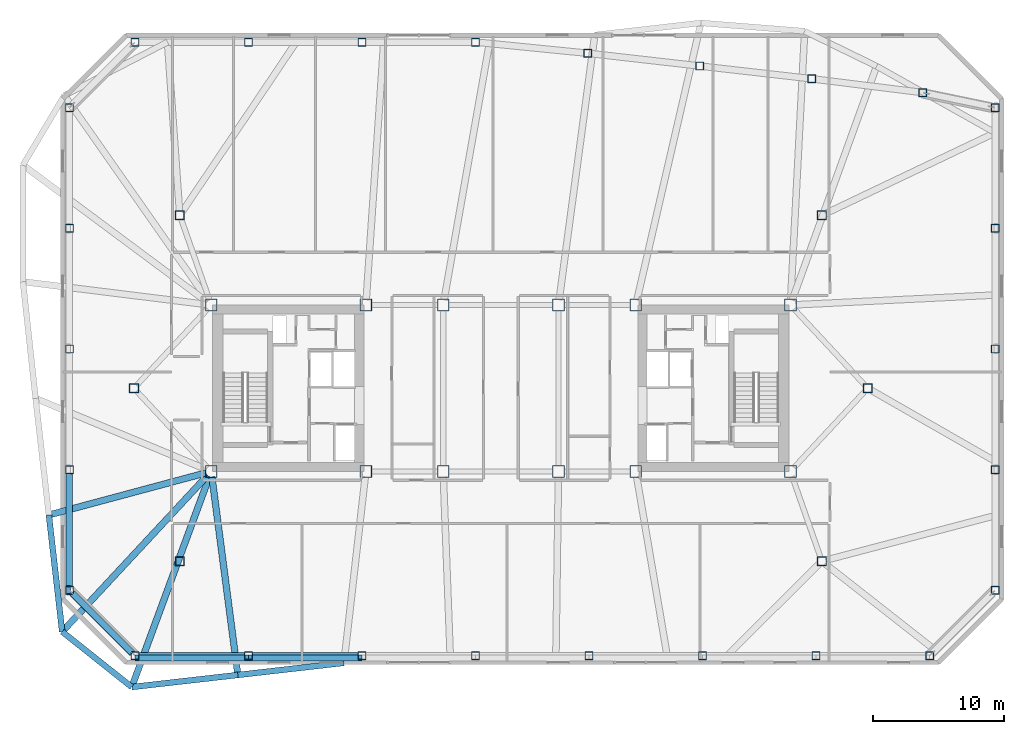
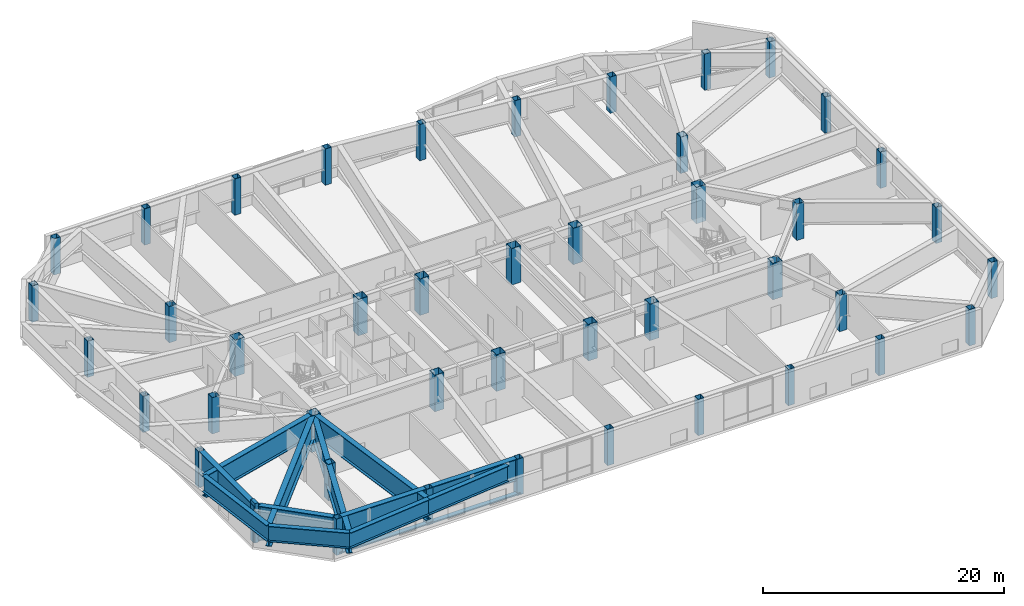
# One storey, part 1 of 19: 44 columns, 12 beams, 4 members.
"""IFC4 building model written with IfcOpenShell, lengths in metres."""

from ifc_helpers import new_model, si_unit, direction, frame, origin, origin_2d, place, context, subcontext, project, spatial, rectangle, hollow_rectangle, hollow_circle, i_section, extrude, material, material_profile, profile_set, type_object, element, save


model = new_model("IFC4")

# Units and contexts
model_context = context("Model", 3, precision=1e-05, world=origin(), true_north=direction((0.0, 1.0)))
body_context = subcontext(model_context, "Body", "Model", "MODEL_VIEW")
ifc_project = project(units=[si_unit("LENGTHUNIT", "METRE"), si_unit("AREAUNIT", "SQUARE_METRE"), si_unit("VOLUMEUNIT", "CUBIC_METRE"), si_unit("PLANEANGLEUNIT", "RADIAN"), si_unit("MASSUNIT", "GRAM", prefix="KILO")], contexts=[model_context])

# Site, building, storey
site_placement = place(None, origin())
site = spatial("IfcSite", under=ifc_project, at=site_placement, CompositionType="ELEMENT")
building_placement = place(site_placement, origin())
building = spatial("IfcBuilding", under=site, at=building_placement, Name="Tavrogorsk Clinical Tower", CompositionType="ELEMENT")
storey_placement = place(building_placement, frame((0.0, 0.0, 204.199951171875)))
storey = spatial("IfcBuildingStorey", under=building, at=storey_placement, Name="L47", CompositionType="ELEMENT", Elevation=204.199951171875)

# Columns
ifc_material_1 = material(Name="Structural steel S440", Category="steel")
ifc_material_profile_1 = material_profile(ifc_material_1, hollow_rectangle(XDim=0.699951171875, YDim=0.699951171875, WallThickness=0.031982421875, at=origin_2d()), Name="BOX-700x700x32")
ifc_profile_set_1 = profile_set([ifc_material_profile_1], Name="Structural steel S440")
column_type_1 = type_object("IfcColumnType", Name="MegaCol_BOX700", PredefinedType="COLUMN", material=ifc_profile_set_1)
for number, where, z_axis, x_axis, name in (
    (1, (-24.5, -13.199951171875, 0.0), (0.0, 0.0, 1.0), (1.0, 0.0, 0.0), "L47 Spine Pilotis Column MC-P1"),
    (2, (24.5, -13.199951171875, 0.0), (0.0, 0.0, 1.0), (1.0, 0.0, 0.0), "L47 Spine Pilotis Column MC-P2"),
    (3, (-24.5, 13.199951171875, 0.0), (0.0, 0.0, 1.0), (1.0, 0.0, 0.0), "L47 Spine Pilotis Column MC-P3"),
    (4, (24.5, 13.199951171875, 0.0), (0.0, 0.0, 1.0), (1.0, 0.0, 0.0), "L47 Spine Pilotis Column MC-P4"),
    (5, (-28.0, 0.0, 0.0), (0.0, 0.0, 1.0), (1.0, 0.0, 0.0), "L47 Spine Pilotis Column MC-P5"),
    (6, (28.0, 0.0, 0.0), (0.0, 0.0, 1.0), (1.0, 0.0, 0.0), "L47 Spine Pilotis Column MC-P6"),
):
    element("IfcColumn", number, at=place(storey_placement, frame(where, z_axis=z_axis, x_axis=x_axis)), inside=storey, type_object=column_type_1, Name=name, PredefinedType="COLUMN", context=body_context, shape_type="SweptSolid", body=[
        extrude(hollow_rectangle(XDim=0.699951171875, YDim=0.699951171875, WallThickness=0.031982421875, at=origin_2d()), origin(), (0.0, 0.0, 1.0), 3.679931640625),
    ])
ifc_material_2 = material(Name="Structural steel S440", Category="steel")
ifc_material_profile_2 = material_profile(ifc_material_2, hollow_rectangle(XDim=0.89990234375, YDim=0.89990234375, WallThickness=0.0400390625, at=origin_2d()), Name="BOX-900x900x40")
ifc_profile_set_2 = profile_set([ifc_material_profile_2], Name="Structural steel S440")
column_type_2 = type_object("IfcColumnType", Name="MegaCol_BOX900", PredefinedType="COLUMN", material=ifc_profile_set_2)
for number, where, z_axis, x_axis, name in (
    (7, (-22.10009765625, -6.35009765625, 0.0), (0.0, 0.0, 1.0), (1.0, 0.0, 0.0), "L47 Mega Column MC-W1"),
    (8, (-22.10009765625, 6.35009765625, 0.0), (0.0, 0.0, 1.0), (1.0, 0.0, 0.0), "L47 Mega Column MC-W2"),
    (9, (-10.300048828125, -6.35009765625, 0.0), (0.0, 0.0, 1.0), (1.0, 0.0, 0.0), "L47 Mega Column MC-W3"),
    (10, (-10.300048828125, 6.35009765625, 0.0), (0.0, 0.0, 1.0), (1.0, 0.0, 0.0), "L47 Mega Column MC-W4"),
    (11, (10.300048828125, -6.35009765625, 0.0), (0.0, 0.0, 1.0), (1.0, 0.0, 0.0), "L47 Mega Column MC-E1"),
    (12, (10.300048828125, 6.35009765625, 0.0), (0.0, 0.0, 1.0), (1.0, 0.0, 0.0), "L47 Mega Column MC-E2"),
    (13, (22.10009765625, -6.35009765625, 0.0), (0.0, 0.0, 1.0), (1.0, 0.0, 0.0), "L47 Mega Column MC-E3"),
    (14, (22.10009765625, 6.35009765625, 0.0), (0.0, 0.0, 1.0), (1.0, 0.0, 0.0), "L47 Mega Column MC-E4"),
    (15, (-4.39990234375, -6.35009765625, 0.0), (0.0, 0.0, 1.0), (1.0, 0.0, 0.0), "L47 Mega Column MC-C1"),
    (16, (4.39990234375, -6.35009765625, 0.0), (0.0, 0.0, 1.0), (1.0, 0.0, 0.0), "L47 Mega Column MC-C2"),
    (17, (-4.39990234375, 6.35009765625, 0.0), (0.0, 0.0, 1.0), (1.0, 0.0, 0.0), "L47 Mega Column MC-C3"),
    (18, (4.39990234375, 6.35009765625, 0.0), (0.0, 0.0, 1.0), (1.0, 0.0, 0.0), "L47 Mega Column MC-C4"),
):
    element("IfcColumn", number, at=place(storey_placement, frame(where, z_axis=z_axis, x_axis=x_axis)), inside=storey, type_object=column_type_2, Name=name, PredefinedType="COLUMN", context=body_context, shape_type="SweptSolid", body=[
        extrude(hollow_rectangle(XDim=0.89990234375, YDim=0.89990234375, WallThickness=0.0400390625, at=origin_2d()), origin(), (0.0, 0.0, 1.0), 3.679931640625),
    ])
ifc_material_3 = material(Name="Structural steel S440", Category="steel")
ifc_material_profile_3 = material_profile(ifc_material_3, hollow_rectangle(XDim=0.60009765625, YDim=0.60009765625, WallThickness=0.028076171875, at=origin_2d()), Name="BOX-600x600x28")
ifc_profile_set_3 = profile_set([ifc_material_profile_3], Name="Structural steel S440")
column_type_3 = type_object("IfcColumnType", Name="PerimCol_B3_BOX600", PredefinedType="COLUMN", material=ifc_profile_set_3)
for number, where, z_axis, x_axis, name in (
    (19, (-27.919921875, -20.419921875, 0.0), (0.0, 0.0, 1.0), (1.0, 0.0, 0.0), "L47 Perimeter Column S1"),
    (20, (-19.257080078125, -20.419921875, 0.0), (0.0, 0.0, 1.0), (1.0, 0.0, 0.0), "L47 Perimeter Column S2"),
    (21, (-10.59423828125, -20.419921875, 0.0), (0.0, 0.0, 1.0), (1.0, 0.0, 0.0), "L47 Perimeter Column S3"),
    (22, (-1.931396484375, -20.419921875, 0.0), (0.0, 0.0, 1.0), (1.0, 0.0, 0.0), "L47 Perimeter Column S4"),
    (23, (6.7314453125, -20.419921875, 0.0), (0.0, 0.0, 1.0), (1.0, 0.0, 0.0), "L47 Perimeter Column S5"),
    (24, (15.394287109375, -20.419921875, 0.0), (0.0, 0.0, 1.0), (1.0, 0.0, 0.0), "L47 Perimeter Column S6"),
    (25, (24.05712890625, -20.419921875, 0.0), (0.0, 0.0, 1.0), (1.0, 0.0, 0.0), "L47 Perimeter Column S7"),
    (26, (32.719970703125, -20.419921875, 0.0), (0.0, 0.0, 1.0), (1.0, 0.0, 0.0), "L47 Perimeter Column S8"),
    (27, (32.19140625, 22.56591796875, 0.0), (0.0, 0.0, 1.0), (1.0, 0.0, 0.0), "L47 Perimeter Column N1"),
    (28, (23.73779296875, 23.617919921875, 0.0), (0.0, 0.0, 1.0), (1.0, 0.0, 0.0), "L47 Perimeter Column N2"),
    (29, (15.18603515625, 24.59228515625, 0.0), (0.0, 0.0, 1.0), (1.0, 0.0, 0.0), "L47 Perimeter Column N3"),
    (30, (6.63427734375, 25.566650390625, 0.0), (0.0, 0.0, 1.0), (1.0, 0.0, 0.0), "L47 Perimeter Column N4"),
    (31, (-1.931396484375, 26.419921875, 0.0), (0.0, 0.0, 1.0), (1.0, 0.0, 0.0), "L47 Perimeter Column N5"),
    (32, (-10.59423828125, 26.419921875, 0.0), (0.0, 0.0, 1.0), (1.0, 0.0, 0.0), "L47 Perimeter Column N6"),
    (33, (-19.257080078125, 26.419921875, 0.0), (0.0, 0.0, 1.0), (1.0, 0.0, 0.0), "L47 Perimeter Column N7"),
    (34, (-27.919921875, 26.419921875, 0.0), (0.0, 0.0, 1.0), (1.0, 0.0, 0.0), "L47 Perimeter Column N8"),
    (35, (37.719970703125, -15.419921875, 0.0), (0.0, 0.0, 1.0), (1.0, 0.0, 0.0), "L47 Perimeter Column E1"),
    (36, (37.719970703125, -6.2099609375, 0.0), (0.0, 0.0, 1.0), (1.0, 0.0, 0.0), "L47 Perimeter Column E2"),
    (37, (37.719970703125, 3.0, 0.0), (0.0, 0.0, 1.0), (1.0, 0.0, 0.0), "L47 Perimeter Column E3"),
    (38, (37.719970703125, 12.2099609375, 0.0), (0.0, 0.0, 1.0), (1.0, 0.0, 0.0), "L47 Perimeter Column E4"),
    (39, (37.719970703125, 21.419921875, 0.0), (0.0, 0.0, 1.0), (1.0, 0.0, 0.0), "L47 Perimeter Column E5"),
    (40, (-32.919921875, 21.419921875, 0.0), (0.0, 0.0, 1.0), (1.0, 0.0, 0.0), "L47 Perimeter Column W1"),
    (41, (-32.919921875, 12.2099609375, 0.0), (0.0, 0.0, 1.0), (1.0, 0.0, 0.0), "L47 Perimeter Column W2"),
    (42, (-32.919921875, 3.0, 0.0), (0.0, 0.0, 1.0), (1.0, 0.0, 0.0), "L47 Perimeter Column W3"),
    (43, (-32.919921875, -6.2099609375, 0.0), (0.0, 0.0, 1.0), (1.0, 0.0, 0.0), "L47 Perimeter Column W4"),
    (44, (-32.919921875, -15.419921875, 0.0), (0.0, 0.0, 1.0), (1.0, 0.0, 0.0), "L47 Perimeter Column W5"),
):
    element("IfcColumn", number, at=place(storey_placement, frame(where, z_axis=z_axis, x_axis=x_axis)), inside=storey, type_object=column_type_3, Name=name, PredefinedType="COLUMN", context=body_context, shape_type="SweptSolid", body=[
        extrude(hollow_rectangle(XDim=0.60009765625, YDim=0.60009765625, WallThickness=0.028076171875, at=origin_2d()), origin(), (0.0, 0.0, 1.0), 3.679931640625),
    ])

# Members
ifc_material_4 = material(Name="Anodised aluminium alloy AW-6063", Category="aluminium")
ifc_material_profile_4 = material_profile(ifc_material_4, rectangle(XDim=0.449951171875, YDim=0.1201171875, at=origin_2d()), Name="ALU-SUNSHADE-450x120")
ifc_profile_set_4 = profile_set([ifc_material_profile_4], Name="Anodised aluminium alloy AW-6063")
member_type_1 = type_object("IfcMemberType", Name="ChicagoSunshade_450x120", PredefinedType="USERDEFINED", material=ifc_profile_set_4)
for number, where, z_axis, x_axis, name in (
    (45, (-27.919921875, -20.60009765625, 0.179931640625), (1.0, 0.0, 0.0), (0.0, 1.0, 0.0), "L47 South Aluminium Sunshade S1"),
    (46, (-19.257080078125, -20.60009765625, 0.179931640625), (1.0, 0.0, 0.0), (0.0, 1.0, 0.0), "L47 South Aluminium Sunshade S2"),
):
    element("IfcMember", number, at=place(storey_placement, frame(where, z_axis=z_axis, x_axis=x_axis)), inside=storey, type_object=member_type_1, Name=name, ObjectType="SUNSHADE", PredefinedType="USERDEFINED", context=body_context, shape_type="SweptSolid", body=[
        extrude(rectangle(XDim=0.449951171875, YDim=0.1201171875, at=origin_2d()), origin(), (0.0, 0.0, 1.0), 8.662841796875),
    ])
ifc_material_5 = material(Name="Structural steel S440", Category="steel")
ifc_material_profile_5 = material_profile(ifc_material_5, hollow_circle(Radius=0.25390625, WallThickness=0.02001953125, at=origin_2d()), Name="CHS-508x20")
ifc_profile_set_5 = profile_set([ifc_material_profile_5], Name="Structural steel S440")
member_type_2 = type_object("IfcMemberType", Name="ExoBrace_CHS508", PredefinedType="BRACE", material=ifc_profile_set_5)
member_1_placement = place(storey_placement, frame((-32.704833984375, -15.635009765625, 0.3486328125), z_axis=(0.698248174064, -0.698248174064, 0.157794089982), x_axis=(0.707106781187, 0.707106781187, 0.0)))
element("IfcMember", 47, at=member_1_placement, inside=storey, type_object=member_type_2, Name="L47 Corner Exoskeleton Brace W5-S1", PredefinedType="BRACE", context=body_context, shape_type="SweptSolid", body=[
    extrude(hollow_circle(Radius=0.25390625, WallThickness=0.02001953125, at=origin_2d()), origin(), (0.0, 0.0, 1.0), 6.544677734375),
])
ifc_material_6 = material(Name="Precast concrete B45 with limestone cladding", Category="masonry")
ifc_material_profile_6 = material_profile(ifc_material_6, rectangle(XDim=0.320068359375, YDim=0.719970703125, at=origin_2d()), Name="LIMESTONE-FIN-320x720")
ifc_profile_set_6 = profile_set([ifc_material_profile_6], Name="Precast concrete B45 with limestone cladding")
member_type_3 = type_object("IfcMemberType", Name="LimestonePleatFin_320x720", PredefinedType="USERDEFINED", material=ifc_profile_set_6)
member_2_placement = place(storey_placement, frame((-33.0, -15.419921875, 0.0), z_axis=(0.0, 0.0, 1.0), x_axis=(1.0, 0.0, 0.0)))
element("IfcMember", 48, at=member_2_placement, inside=storey, type_object=member_type_3, Name="L47 W Pleated Stone Fin 4", ObjectType="FIN", PredefinedType="USERDEFINED", context=body_context, shape_type="SweptSolid", body=[
    extrude(rectangle(XDim=0.320068359375, YDim=0.719970703125, at=origin_2d()), origin(), (0.0, 0.0, 1.0), 4.0),
])

# Beams
ifc_material_7 = material(Name="Structural steel S440", Category="steel")
ifc_material_profile_7 = material_profile(ifc_material_7, i_section(OverallWidth=0.449951171875, OverallDepth=1.60009765625, WebThickness=0.031982421875, FlangeThickness=0.050048828125, at=origin_2d()), Name="DK-1600x450x32x50")
ifc_profile_set_7 = profile_set([ifc_material_profile_7], Name="Structural steel S440")
beam_type_1 = type_object("IfcBeamType", Name="TransferGirder_DK1600", PredefinedType="USERDEFINED", material=ifc_profile_set_7)
for number, where, z_axis, x_axis, name in (
    (49, (-28.164794921875, -22.802490234375, 2.880126953125), (0.9935729766, 0.113193375116, 0.0), (-0.113193375116, 0.9935729766, 0.0), "L48 Transfer Edge Girder S1-S2"),
    (50, (-20.068603515625, -21.880126953125, 2.880126953125), (0.99356960656, 0.11322295227, 0.0), (-0.11322295227, 0.99356960656, 0.0), "L48 Transfer Edge Girder S2-S3"),
):
    element("IfcBeam", number, at=place(storey_placement, frame(where, z_axis=z_axis, x_axis=x_axis)), inside=storey, type_object=beam_type_1, Name=name, ObjectType="GIRDER", PredefinedType="USERDEFINED", context=body_context, shape_type="SweptSolid", body=[
        extrude(i_section(OverallWidth=0.449951171875, OverallDepth=1.60009765625, WebThickness=0.031982421875, FlangeThickness=0.050048828125, at=origin_2d()), origin(), (0.0, 0.0, 1.0), 8.148681640625),
    ])
beam_1_placement = place(storey_placement, frame((-34.491455078125, -9.67431640625, 2.880126953125), z_axis=(0.113188472599, -0.99357353511, 0.0), x_axis=(0.99357353511, 0.113188472599, 0.0)))
element("IfcBeam", 51, at=beam_1_placement, inside=storey, type_object=beam_type_1, Name="L48 Transfer Edge Girder W4-W5", ObjectType="GIRDER", PredefinedType="USERDEFINED", context=body_context, shape_type="SweptSolid", body=[
    extrude(i_section(OverallWidth=0.449951171875, OverallDepth=1.60009765625, WebThickness=0.031982421875, FlangeThickness=0.050048828125, at=origin_2d()), origin(), (0.0, 0.0, 1.0), 8.9599609375),
])
beam_2_placement = place(storey_placement, frame((-33.477294921875, -18.57666015625, 2.880126953125), z_axis=(0.782602647064, -0.622521563328, 0.0), x_axis=(0.622521563328, 0.782602647064, 0.0)))
element("IfcBeam", 52, at=beam_2_placement, inside=storey, type_object=beam_type_1, Name="L48 Transfer Edge Girder W5-S1", ObjectType="GIRDER", PredefinedType="USERDEFINED", context=body_context, shape_type="SweptSolid", body=[
    extrude(i_section(OverallWidth=0.449951171875, OverallDepth=1.60009765625, WebThickness=0.031982421875, FlangeThickness=0.050048828125, at=origin_2d()), origin(), (0.0, 0.0, 1.0), 6.788330078125),
])
ifc_material_8 = material(Name="Structural steel S440", Category="steel")
ifc_material_profile_8 = material_profile(ifc_material_8, i_section(OverallWidth=0.5, OverallDepth=2.199951171875, WebThickness=0.035888671875, FlangeThickness=0.054931640625, at=origin_2d()), Name="DK-2200x500x36x55")
ifc_profile_set_8 = profile_set([ifc_material_profile_8], Name="Structural steel S440")
beam_type_2 = type_object("IfcBeamType", Name="TransferGirder_DK2200", PredefinedType="USERDEFINED", material=ifc_profile_set_8)
for number, where, z_axis, x_axis, name in (
    (53, (-27.612060546875, -20.419921875, 2.580078125), (1.0, 0.0, 0.0), (0.0, 1.0, 0.0), "L47 Perimeter Spandrel S1-S2"),
    (54, (-18.94921875, -20.419921875, 2.580078125), (1.0, 0.0, 0.0), (0.0, 1.0, 0.0), "L47 Perimeter Spandrel S2-S3"),
):
    element("IfcBeam", number, at=place(storey_placement, frame(where, z_axis=z_axis, x_axis=x_axis)), inside=storey, type_object=beam_type_2, Name=name, ObjectType="GIRDER", PredefinedType="USERDEFINED", context=body_context, shape_type="SweptSolid", body=[
        extrude(i_section(OverallWidth=0.5, OverallDepth=2.199951171875, WebThickness=0.035888671875, FlangeThickness=0.054931640625, at=origin_2d()), origin(), (0.0, 0.0, 1.0), 8.046875),
    ])
beam_3_placement = place(storey_placement, frame((-32.919921875, -6.51806640625, 2.580078125), z_axis=(0.0, -1.0, 0.0), x_axis=(1.0, 0.0, 0.0)))
element("IfcBeam", 55, at=beam_3_placement, inside=storey, type_object=beam_type_2, Name="L47 Perimeter Spandrel W4-W5", ObjectType="GIRDER", PredefinedType="USERDEFINED", context=body_context, shape_type="SweptSolid", body=[
    extrude(i_section(OverallWidth=0.5, OverallDepth=2.199951171875, WebThickness=0.035888671875, FlangeThickness=0.054931640625, at=origin_2d()), origin(), (0.0, 0.0, 1.0), 8.593994140625),
])
beam_4_placement = place(storey_placement, frame((-32.7021484375, -15.6376953125, 2.580078125), z_axis=(0.707106781187, -0.707106781187, 0.0), x_axis=(0.707106781187, 0.707106781187, 0.0)))
element("IfcBeam", 56, at=beam_4_placement, inside=storey, type_object=beam_type_2, Name="L47 Perimeter Spandrel W5-S1", ObjectType="GIRDER", PredefinedType="USERDEFINED", context=body_context, shape_type="SweptSolid", body=[
    extrude(i_section(OverallWidth=0.5, OverallDepth=2.199951171875, WebThickness=0.035888671875, FlangeThickness=0.054931640625, at=origin_2d()), origin(), (0.0, 0.0, 1.0), 6.455078125),
])
beam_5_placement = place(storey_placement, frame((-22.24169921875, -6.734619140625, 2.580078125), z_axis=(-0.345877787516, -0.938279572464, 0.0), x_axis=(0.938279572464, -0.345877787516, 0.0)))
element("IfcBeam", 57, at=beam_5_placement, inside=storey, type_object=beam_type_2, Name="L48 Block Transfer Girder S1", ObjectType="GIRDER", PredefinedType="USERDEFINED", context=body_context, shape_type="SweptSolid", body=[
    extrude(i_section(OverallWidth=0.5, OverallDepth=2.199951171875, WebThickness=0.035888671875, FlangeThickness=0.054931640625, at=origin_2d()), origin(), (0.0, 0.0, 1.0), 17.124755859375),
])
beam_6_placement = place(storey_placement, frame((-22.046875, -6.756591796875, 2.580078125), z_axis=(0.129702540075, -0.991552949216, 0.0), x_axis=(0.991552949216, 0.129702540075, 0.0)))
element("IfcBeam", 58, at=beam_6_placement, inside=storey, type_object=beam_type_2, Name="L48 Block Transfer Girder S2", ObjectType="GIRDER", PredefinedType="USERDEFINED", context=body_context, shape_type="SweptSolid", body=[
    extrude(i_section(OverallWidth=0.5, OverallDepth=2.199951171875, WebThickness=0.035888671875, FlangeThickness=0.054931640625, at=origin_2d()), origin(), (0.0, 0.0, 1.0), 15.25244140625),
])
beam_7_placement = place(storey_placement, frame((-22.49609375, -6.456298828125, 2.580078125), z_axis=(-0.96584787696, -0.259109780926, 0.0), x_axis=(0.259109780926, -0.96584787696, 0.0)))
element("IfcBeam", 59, at=beam_7_placement, inside=storey, type_object=beam_type_2, Name="L48 Block Transfer Girder W4", ObjectType="GIRDER", PredefinedType="USERDEFINED", context=body_context, shape_type="SweptSolid", body=[
    extrude(i_section(OverallWidth=0.5, OverallDepth=2.199951171875, WebThickness=0.035888671875, FlangeThickness=0.054931640625, at=origin_2d()), origin(), (0.0, 0.0, 1.0), 12.41943359375),
])
beam_8_placement = place(storey_placement, frame((-22.37939453125, -6.650146484375, 2.580078125), z_axis=(-0.681218091022, -0.73208053687, 0.0), x_axis=(0.73208053687, -0.681218091022, 0.0)))
element("IfcBeam", 60, at=beam_8_placement, inside=storey, type_object=beam_type_2, Name="L48 Block Transfer Girder W5", ObjectType="GIRDER", PredefinedType="USERDEFINED", context=body_context, shape_type="SweptSolid", body=[
    extrude(i_section(OverallWidth=0.5, OverallDepth=2.199951171875, WebThickness=0.035888671875, FlangeThickness=0.054931640625, at=origin_2d()), origin(), (0.0, 0.0, 1.0), 16.291259765625),
])

save(model, "model.ifc")
